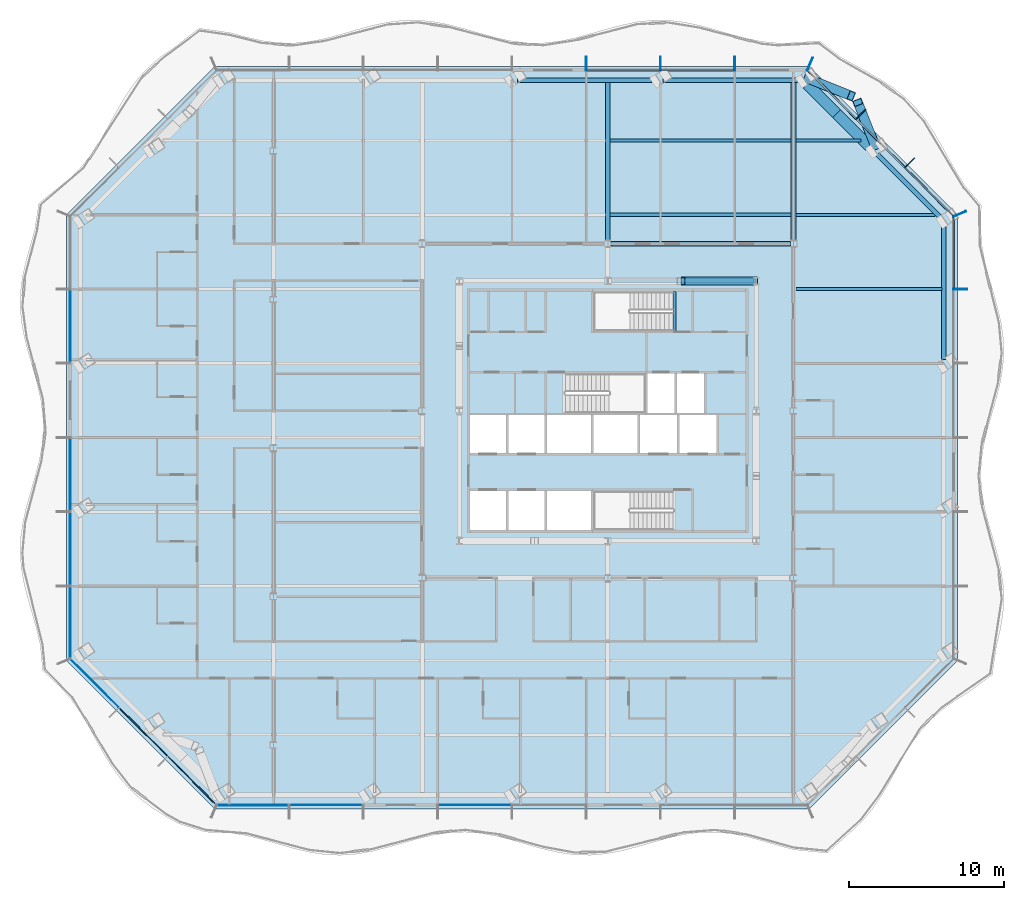
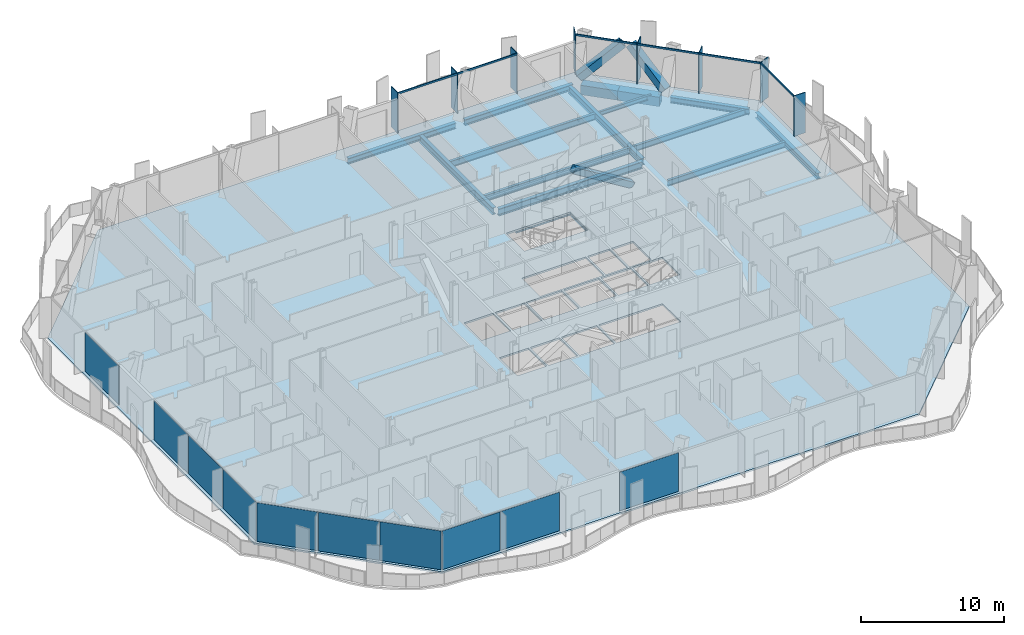
# One storey, part 4 of 17: 17 members, 16 beams, 10 plates, 1 slab, 6 elements without a shape of their own.
"""IFC4 building model written with IfcOpenShell, lengths in metres."""

from ifc_helpers import new_model, si_unit, direction, frame, origin, origin_2d, place, context, subcontext, project, spatial, polyline, rectangle, hollow_rectangle, i_section, outline, extrude, material, layer, layer_set, material_profile, profile_set, type_object, element, aggregate, save


model = new_model("IFC4")

# Units and contexts
model_context = context("Model", 3, precision=1e-05, world=origin(), true_north=direction((0.0, 1.0)))
body_context = subcontext(model_context, "Body", "Model", "MODEL_VIEW")
ifc_project = project(units=[si_unit("LENGTHUNIT", "METRE"), si_unit("AREAUNIT", "SQUARE_METRE"), si_unit("VOLUMEUNIT", "CUBIC_METRE"), si_unit("PLANEANGLEUNIT", "RADIAN"), si_unit("MASSUNIT", "GRAM", prefix="KILO")], contexts=[model_context])

# Site, building, storey
site_placement = place(None, origin())
site = spatial("IfcSite", under=ifc_project, at=site_placement, CompositionType="ELEMENT")
building_placement = place(site_placement, origin())
building = spatial("IfcBuilding", under=site, at=building_placement, Name="Cairn Pilgrim Tower", CompositionType="ELEMENT")
storey_placement = place(building_placement, frame((0.0, 0.0, 94.199951171875)))
storey = spatial("IfcBuildingStorey", under=building, at=storey_placement, Name="L22", CompositionType="ELEMENT", Elevation=94.199951171875)

# Members
ifc_material_1 = material(Name="Structural steel S460M", Category="steel")
ifc_material_profile_1 = material_profile(ifc_material_1, hollow_rectangle(XDim=0.5, YDim=0.5, WallThickness=0.030029296875, at=origin_2d()), Name="BOX 500x500x30")
ifc_profile_set_1 = profile_set([ifc_material_profile_1], Name="Structural steel S460M")
member_type_1 = type_object("IfcMemberType", Name="BOX 500x500x30 BRACE", PredefinedType="BRACE", material=ifc_profile_set_1)
member_1_placement = place(storey_placement, frame((16.75634765625, 10.800048828125, 0.10009765625), z_axis=(-0.851002408489, 0.0, 0.525161785305), x_axis=(0.0, -1.0, 0.0)))
element("IfcMember", 1, at=member_1_placement, inside=storey, type_object=member_type_1, Name="KB-3A", PredefinedType="BRACE", context=body_context, shape_type="SweptSolid", body=[
    extrude(hollow_rectangle(XDim=0.5, YDim=0.5, WallThickness=0.030029296875, at=origin_2d()), origin(), (0.0, 0.0, 1.0), 5.526611328125),
])
ifc_material_profile_2 = material_profile(ifc_material_1, hollow_rectangle(XDim=0.60009765625, YDim=0.60009765625, WallThickness=0.034912109375, at=origin_2d()), Name="BOX 600x600x35")
ifc_profile_set_2 = profile_set([ifc_material_profile_2], Name="Structural steel S460M")
member_type_2 = type_object("IfcMemberType", Name="BOX 600x600x35 BRACE", PredefinedType="BRACE", material=ifc_profile_set_2)
member_2_placement = place(storey_placement, frame((24.502685546875, 19.479736328125, 0.150146484375), z_axis=(-0.284041519805, 0.710468110996, 0.643859828134), x_axis=(-0.928542350144, -0.37122648611, 0.0)))
element("IfcMember", 2, at=member_2_placement, inside=storey, type_object=member_type_2, Name="XB-NE2-N1-1", PredefinedType="BRACE", context=body_context, shape_type="SweptSolid", body=[
    extrude(hollow_rectangle(XDim=0.60009765625, YDim=0.60009765625, WallThickness=0.034912109375, at=origin_2d()), origin(), (0.0, 0.0, 1.0), 4.020751953125),
])
member_3_placement = place(storey_placement, frame((20.07958984375, 23.903076171875, 0.150146484375), z_axis=(0.710455856845, -0.284097338192, 0.643848722843), x_axis=(0.371294902945, 0.928514994519, 0.0)))
element("IfcMember", 3, at=member_3_placement, inside=storey, type_object=member_type_2, Name="XB-NE2-N1-2", PredefinedType="BRACE", context=body_context, shape_type="SweptSolid", body=[
    extrude(hollow_rectangle(XDim=0.60009765625, YDim=0.60009765625, WallThickness=0.034912109375, at=origin_2d()), origin(), (0.0, 0.0, 1.0), 4.02099609375),
])

# Beams
ifc_material_2 = material(Name="Structural steel S355J2", Category="steel")
ifc_material_profile_3 = material_profile(ifc_material_2, hollow_rectangle(XDim=0.699951171875, YDim=0.800048828125, WallThickness=0.0400390625, at=origin_2d()), Name="BOX 700x800x40")
ifc_profile_set_3 = profile_set([ifc_material_profile_3], Name="Structural steel S355J2")
beam_type_1 = type_object("IfcBeamType", Name="BOX 700x800x40 RING GIRDER", PredefinedType="SPANDREL", material=ifc_profile_set_3)
beam_1_placement = place(storey_placement, frame((24.117431640625, 19.490478515625, -0.550048828125), z_axis=(-0.707147336765, 0.707066223282, 0.0), x_axis=(-0.707066223282, -0.707147336765, 0.0)))
element("IfcBeam", 4, at=beam_1_placement, inside=storey, type_object=beam_type_1, Name="RG1-NE2-N1-1", PredefinedType="SPANDREL", context=body_context, shape_type="SweptSolid", body=[
    extrude(hollow_rectangle(XDim=0.699951171875, YDim=0.800048828125, WallThickness=0.0400390625, at=origin_2d()), origin(), (0.0, 0.0, 1.0), 3.009765625),
])
beam_2_placement = place(storey_placement, frame((21.989013671875, 21.61865234375, -0.550048828125), z_axis=(-0.707106781187, 0.707106781187, 0.0), x_axis=(-0.707106781187, -0.707106781187, 0.0)))
element("IfcBeam", 5, at=beam_2_placement, inside=storey, type_object=beam_type_1, Name="RG1-NE2-N1-2", PredefinedType="SPANDREL", context=body_context, shape_type="SweptSolid", body=[
    extrude(hollow_rectangle(XDim=0.699951171875, YDim=0.800048828125, WallThickness=0.0400390625, at=origin_2d()), origin(), (0.0, 0.0, 1.0), 2.685546875),
])

# Curtain wall, member
ifc_material_3 = material(Name="Aluminium alloy 6063-T6 bronze anodised with Bronze tinted laminated low-E glass 8+16+8.8", Category="aluminium")
curtain_wall_type_1 = type_object("IfcCurtainWallType", Name="TOWER STICK CURTAIN WALL EW", PredefinedType="NOTDEFINED", material=ifc_material_3)
curtain_wall_1_placement = place(storey_placement, origin())
curtain_wall_1 = element("IfcCurtainWall", 6, at=curtain_wall_1_placement, inside=storey, type_object=curtain_wall_type_1, Name="Tower Stick Curtain Wall Ew E", PredefinedType="NOTDEFINED")
ifc_material_4 = material(Name="Aluminium alloy 6063-T6 bronze anodised", Category="aluminium")
ifc_material_profile_4 = material_profile(ifc_material_4, rectangle(XDim=0.89990234375, YDim=0.06005859375, at=origin_2d()), Name="FIN MULLION 60x900 BRONZE")
ifc_profile_set_4 = profile_set([ifc_material_profile_4], Name="Aluminium alloy 6063-T6 bronze anodised")
member_type_3 = type_object("IfcMemberType", Name="FIN MULLION 60x900 BRONZE", PredefinedType="MULLION", material=ifc_profile_set_4)
member_4_placement = place(storey_placement, frame((29.978271484375, 10.272216796875, 0.0), z_axis=(0.0, 0.0, 1.0), x_axis=(1.0, 0.0, 0.0)))
member_4 = element("IfcMember", 7, at=member_4_placement, type_object=member_type_3, Name="Fin mullion E6", PredefinedType="MULLION", context=body_context, shape_type="SweptSolid", body=[
    extrude(rectangle(XDim=0.89990234375, YDim=0.06005859375, at=origin_2d()), origin(), (0.0, 0.0, 1.0), 3.449951171875),
])

# Curtain wall, members
curtain_wall_type_2 = type_object("IfcCurtainWallType", Name="CHAMFER CORNER CURTAIN WALL", PredefinedType="NOTDEFINED", material=ifc_material_3)
curtain_wall_2_placement = place(storey_placement, origin())
curtain_wall_2 = element("IfcCurtainWall", 8, at=curtain_wall_2_placement, inside=storey, type_object=curtain_wall_type_2, Name="Chamfer Corner Curtain Wall NE", PredefinedType="NOTDEFINED")
member_5_placement = place(storey_placement, frame((29.946533203125, 15.12939453125, 0.0), z_axis=(0.0, 0.0, 1.0), x_axis=(0.923879532511, 0.382683432365, 0.0)))
member_5 = element("IfcMember", 9, at=member_5_placement, type_object=member_type_3, Name="Fin mullion NE1", PredefinedType="MULLION", context=body_context, shape_type="SweptSolid", body=[
    extrude(rectangle(XDim=0.89990234375, YDim=0.06005859375, at=origin_2d()), origin(), (0.0, 0.0, 1.0), 3.449951171875),
])
member_6_placement = place(storey_placement, frame((26.7041015625, 18.4169921875, 0.0), z_axis=(0.0, 0.0, 1.0), x_axis=(0.707106781187, 0.707106781187, 0.0)))
member_6 = element("IfcMember", 10, at=member_6_placement, type_object=member_type_3, Name="Fin mullion NE2", PredefinedType="MULLION", context=body_context, shape_type="SweptSolid", body=[
    extrude(rectangle(XDim=0.89990234375, YDim=0.06005859375, at=origin_2d()), origin(), (0.0, 0.0, 1.0), 3.449951171875),
])
member_7_placement = place(storey_placement, frame((23.552978515625, 21.568115234375, 0.0), z_axis=(0.0, 0.0, 1.0), x_axis=(0.707106781187, 0.707106781187, 0.0)))
member_7 = element("IfcMember", 11, at=member_7_placement, type_object=member_type_3, Name="Fin mullion NE3", PredefinedType="MULLION", context=body_context, shape_type="SweptSolid", body=[
    extrude(rectangle(XDim=0.89990234375, YDim=0.06005859375, at=origin_2d()), origin(), (0.0, 0.0, 1.0), 3.449951171875),
])

curtain_wall_type_3 = type_object("IfcCurtainWallType", Name="TOWER STICK CURTAIN WALL NS", PredefinedType="NOTDEFINED", material=ifc_material_3)
curtain_wall_3_placement = place(storey_placement, origin())
curtain_wall_3 = element("IfcCurtainWall", 12, at=curtain_wall_3_placement, inside=storey, type_object=curtain_wall_type_3, Name="Tower Stick Curtain Wall Ns N", PredefinedType="NOTDEFINED")
member_8_placement = place(storey_placement, frame((20.265625, 24.810302734375, 0.0), z_axis=(0.0, 0.0, 1.0), x_axis=(0.382683432365, 0.923879532511, 0.0)))
member_8 = element("IfcMember", 13, at=member_8_placement, type_object=member_type_3, Name="Fin mullion N1", PredefinedType="MULLION", context=body_context, shape_type="SweptSolid", body=[
    extrude(rectangle(XDim=0.89990234375, YDim=0.06005859375, at=origin_2d()), origin(), (0.0, 0.0, 1.0), 3.449951171875),
])
member_9_placement = place(storey_placement, frame((15.408447265625, 24.84228515625, 0.0), z_axis=(0.0, 0.0, 1.0), x_axis=(0.0, 1.0, 0.0)))
member_9 = element("IfcMember", 14, at=member_9_placement, type_object=member_type_3, Name="Fin mullion N2", PredefinedType="MULLION", context=body_context, shape_type="SweptSolid", body=[
    extrude(rectangle(XDim=0.89990234375, YDim=0.06005859375, at=origin_2d()), origin(), (0.0, 0.0, 1.0), 3.449951171875),
])
member_10_placement = place(storey_placement, frame((10.6083984375, 24.84228515625, 0.0), z_axis=(0.0, 0.0, 1.0), x_axis=(0.0, 1.0, 0.0)))
member_10 = element("IfcMember", 15, at=member_10_placement, type_object=member_type_3, Name="Fin mullion N3", PredefinedType="MULLION", context=body_context, shape_type="SweptSolid", body=[
    extrude(rectangle(XDim=0.89990234375, YDim=0.06005859375, at=origin_2d()), origin(), (0.0, 0.0, 1.0), 3.449951171875),
])
member_11_placement = place(storey_placement, frame((5.808349609375, 24.84228515625, 0.0), z_axis=(0.0, 0.0, 1.0), x_axis=(0.0, 1.0, 0.0)))
member_11 = element("IfcMember", 16, at=member_11_placement, type_object=member_type_3, Name="Fin mullion N4", PredefinedType="MULLION", context=body_context, shape_type="SweptSolid", body=[
    extrude(rectangle(XDim=0.89990234375, YDim=0.06005859375, at=origin_2d()), origin(), (0.0, 0.0, 1.0), 3.449951171875),
])

# Beams
ifc_material_profile_5 = material_profile(ifc_material_2, i_section(OverallWidth=0.300048828125, OverallDepth=0.5, WebThickness=0.014404296875, FlangeThickness=0.028076171875, FilletRadius=0.027099609375, at=origin_2d()), Name="HEB 500")
ifc_profile_set_5 = profile_set([ifc_material_profile_5], Name="Structural steel S355J2")
beam_type_2 = type_object("IfcBeamType", Name="HEB 500 RING GIRDER", PredefinedType="SPANDREL", material=ifc_profile_set_5)
beam_3_placement = place(storey_placement, frame((28.908447265625, 5.7080078125, -0.39990234375), z_axis=(0.0, 1.0, 0.0), x_axis=(-1.0, 0.0, 0.0)))
element("IfcBeam", 17, at=beam_3_placement, inside=storey, type_object=beam_type_2, Name="RG1-E3-NE1", PredefinedType="SPANDREL", context=body_context, shape_type="SweptSolid", body=[
    extrude(i_section(OverallWidth=0.300048828125, OverallDepth=0.5, WebThickness=0.014404296875, FlangeThickness=0.028076171875, FilletRadius=0.027099609375, at=origin_2d()), origin(), (0.0, 0.0, 1.0), 8.631591796875),
])
beam_4_placement = place(storey_placement, frame((28.65380859375, 14.9541015625, -0.39990234375), z_axis=(-0.707128214185, 0.707085347538, 0.0), x_axis=(-0.707085347538, -0.707128214185, 0.0)))
element("IfcBeam", 18, at=beam_4_placement, inside=storey, type_object=beam_type_2, Name="RG1-NE1-NE2", PredefinedType="SPANDREL", context=body_context, shape_type="SweptSolid", body=[
    extrude(i_section(OverallWidth=0.300048828125, OverallDepth=0.5, WebThickness=0.014404296875, FlangeThickness=0.028076171875, FilletRadius=0.027099609375, at=origin_2d()), origin(), (0.0, 0.0, 1.0), 5.6953125),
])
for number, where, z_axis, x_axis, name in (
    (19, (19.4755859375, 23.772216796875, -0.39990234375), (-1.0, 0.0, 0.0), (0.0, -1.0, 0.0), "RG1-N1-N2"),
    (20, (10.06201171875, 23.772216796875, -0.39990234375), (-1.0, 0.0, 0.0), (0.0, -1.0, 0.0), "RG1-N2-N3"),
):
    element("IfcBeam", number, at=place(storey_placement, frame(where, z_axis=z_axis, x_axis=x_axis)), inside=storey, type_object=beam_type_2, Name=name, PredefinedType="SPANDREL", context=body_context, shape_type="SweptSolid", body=[
        extrude(i_section(OverallWidth=0.300048828125, OverallDepth=0.5, WebThickness=0.014404296875, FlangeThickness=0.028076171875, FilletRadius=0.027099609375, at=origin_2d()), origin(), (0.0, 0.0, 1.0), 8.693603515625),
    ])
ifc_material_profile_6 = material_profile(ifc_material_2, i_section(OverallWidth=0.300048828125, OverallDepth=0.60009765625, WebThickness=0.015380859375, FlangeThickness=0.030029296875, FilletRadius=0.027099609375, at=origin_2d()), Name="HEB 600")
ifc_profile_set_6 = profile_set([ifc_material_profile_6], Name="Structural steel S355J2")
beam_type_3 = type_object("IfcBeamType", Name="HEB 600 CORE BEAM", PredefinedType="BEAM", material=ifc_profile_set_6)
beam_5_placement = place(storey_placement, frame((16.603271484375, 10.800048828125, -0.449951171875), z_axis=(-1.0, 0.0, 0.0), x_axis=(0.0, -1.0, 0.0)))
element("IfcBeam", 21, at=beam_5_placement, inside=storey, type_object=beam_type_3, Name="CB-5", PredefinedType="BEAM", context=body_context, shape_type="SweptSolid", body=[
    extrude(i_section(OverallWidth=0.300048828125, OverallDepth=0.60009765625, WebThickness=0.015380859375, FlangeThickness=0.030029296875, FilletRadius=0.027099609375, at=origin_2d()), origin(), (0.0, 0.0, 1.0), 9.20654296875),
])
ifc_material_profile_7 = material_profile(ifc_material_2, i_section(OverallWidth=0.300048828125, OverallDepth=0.60009765625, WebThickness=0.015380859375, FlangeThickness=0.030029296875, FilletRadius=0.027099609375, at=origin_2d()), Name="HEB 600")
ifc_profile_set_7 = profile_set([ifc_material_profile_7], Name="Structural steel S355J2")
beam_type_4 = type_object("IfcBeamType", Name="HEB 600 GIRDER", PredefinedType="BEAM", material=ifc_profile_set_7)
for number, where, z_axis, x_axis, name in (
    (22, (7.199951171875, 13.404541015625, -0.449951171875), (0.0, 1.0, 0.0), (-1.0, 0.0, 0.0), "PG3-2"),
    (23, (19.199951171875, 13.404541015625, -0.449951171875), (0.0, 1.0, 0.0), (-1.0, 0.0, 0.0), "PG4-4"),
):
    element("IfcBeam", number, at=place(storey_placement, frame(where, z_axis=z_axis, x_axis=x_axis)), inside=storey, type_object=beam_type_4, Name=name, PredefinedType="BEAM", context=body_context, shape_type="SweptSolid", body=[
        extrude(i_section(OverallWidth=0.300048828125, OverallDepth=0.60009765625, WebThickness=0.015380859375, FlangeThickness=0.030029296875, FilletRadius=0.027099609375, at=origin_2d()), origin(), (0.0, 0.0, 1.0), 10.247802734375),
    ])
ifc_material_profile_8 = material_profile(ifc_material_2, i_section(OverallWidth=0.300048828125, OverallDepth=0.60009765625, WebThickness=0.015380859375, FlangeThickness=0.030029296875, FilletRadius=0.027099609375, at=origin_2d()), Name="HEB 600")
ifc_profile_set_8 = profile_set([ifc_material_profile_8], Name="Structural steel S355J2")
beam_type_5 = type_object("IfcBeamType", Name="HEB 600 INNER GIRDER", PredefinedType="BEAM", material=ifc_profile_set_8)
beam_6_placement = place(storey_placement, frame((7.404541015625, 13.199951171875, -0.449951171875), z_axis=(1.0, 0.0, 0.0), x_axis=(0.0, 1.0, 0.0)))
element("IfcBeam", 24, at=beam_6_placement, inside=storey, type_object=beam_type_5, Name="IG2-2", PredefinedType="BEAM", context=body_context, shape_type="SweptSolid", body=[
    extrude(i_section(OverallWidth=0.300048828125, OverallDepth=0.60009765625, WebThickness=0.015380859375, FlangeThickness=0.030029296875, FilletRadius=0.027099609375, at=origin_2d()), origin(), (0.0, 0.0, 1.0), 11.591064453125),
])
ifc_material_profile_9 = material_profile(ifc_material_2, i_section(OverallWidth=0.169921875, OverallDepth=0.360107421875, WebThickness=0.008056640625, FlangeThickness=0.0126953125, FilletRadius=0.01806640625, at=origin_2d()), Name="IPE 360")
ifc_profile_set_9 = profile_set([ifc_material_profile_9], Name="Structural steel S355J2")
beam_type_6 = type_object("IfcBeamType", Name="IPE 360 SECONDARY BEAM", PredefinedType="JOIST", material=ifc_profile_set_9)
beam_7_placement = place(storey_placement, frame((19.35009765625, 19.872314453125, -0.329833984375), z_axis=(1.0, 0.0, 0.0), x_axis=(0.0, 1.0, 0.0)))
element("IfcBeam", 25, at=beam_7_placement, inside=storey, type_object=beam_type_6, Name="SB9-5", PredefinedType="JOIST", context=body_context, shape_type="SweptSolid", body=[
    extrude(i_section(OverallWidth=0.169921875, OverallDepth=0.360107421875, WebThickness=0.008056640625, FlangeThickness=0.0126953125, FilletRadius=0.01806640625, at=origin_2d()), origin(), (0.0, 0.0, 1.0), 4.203369140625),
])
ifc_material_profile_10 = material_profile(ifc_material_2, i_section(OverallWidth=0.199951171875, OverallDepth=0.5, WebThickness=0.01025390625, FlangeThickness=0.01611328125, FilletRadius=0.02099609375, at=origin_2d()), Name="IPE 500")
ifc_profile_set_10 = profile_set([ifc_material_profile_10], Name="Structural steel S355J2")
beam_type_7 = type_object("IfcBeamType", Name="IPE 500 SECONDARY BEAM", PredefinedType="JOIST", material=ifc_profile_set_10)
beam_8_placement = place(storey_placement, frame((19.35009765625, 10.272216796875, -0.39990234375), z_axis=(1.0, 0.0, 0.0), x_axis=(0.0, 1.0, 0.0)))
element("IfcBeam", 26, at=beam_8_placement, inside=storey, type_object=beam_type_7, Name="SB7-3", PredefinedType="JOIST", context=body_context, shape_type="SweptSolid", body=[
    extrude(i_section(OverallWidth=0.199951171875, OverallDepth=0.5, WebThickness=0.01025390625, FlangeThickness=0.01611328125, FilletRadius=0.02099609375, at=origin_2d()), origin(), (0.0, 0.0, 1.0), 9.438232421875),
])
beam_9_placement = place(storey_placement, frame((19.35009765625, 15.072265625, -0.39990234375), z_axis=(1.0, 0.0, 0.0), x_axis=(0.0, 1.0, 0.0)))
element("IfcBeam", 27, at=beam_9_placement, inside=storey, type_object=beam_type_7, Name="SB8-5", PredefinedType="JOIST", context=body_context, shape_type="SweptSolid", body=[
    extrude(i_section(OverallWidth=0.199951171875, OverallDepth=0.5, WebThickness=0.01025390625, FlangeThickness=0.01611328125, FilletRadius=0.02099609375, at=origin_2d()), origin(), (0.0, 0.0, 1.0), 9.00341796875),
])
ifc_material_profile_11 = material_profile(ifc_material_2, i_section(OverallWidth=0.2099609375, OverallDepth=0.550048828125, WebThickness=0.010986328125, FlangeThickness=0.01708984375, FilletRadius=0.02392578125, at=origin_2d()), Name="IPE 550")
ifc_profile_set_11 = profile_set([ifc_material_profile_11], Name="Structural steel S355J2")
beam_type_8 = type_object("IfcBeamType", Name="IPE 550 SECONDARY BEAM", PredefinedType="JOIST", material=ifc_profile_set_11)
for number, where, z_axis, x_axis, name in (
    (28, (7.35009765625, 15.072265625, -0.425048828125), (1.0, 0.0, 0.0), (0.0, 1.0, 0.0), "SB8-4"),
    (29, (7.35009765625, 19.872314453125, -0.425048828125), (1.0, 0.0, 0.0), (0.0, 1.0, 0.0), "SB9-4"),
):
    element("IfcBeam", number, at=place(storey_placement, frame(where, z_axis=z_axis, x_axis=x_axis)), inside=storey, type_object=beam_type_8, Name=name, PredefinedType="JOIST", context=body_context, shape_type="SweptSolid", body=[
        extrude(i_section(OverallWidth=0.2099609375, OverallDepth=0.550048828125, WebThickness=0.010986328125, FlangeThickness=0.01708984375, FilletRadius=0.02392578125, at=origin_2d()), origin(), (0.0, 0.0, 1.0), 11.699951171875),
    ])
ifc_material_profile_12 = material_profile(ifc_material_2, i_section(OverallWidth=0.199951171875, OverallDepth=0.199951171875, WebThickness=0.009033203125, FlangeThickness=0.014892578125, FilletRadius=0.01806640625, at=origin_2d()), Name="HE 200 B")
ifc_profile_set_12 = profile_set([ifc_material_profile_12], Name="Structural steel S355J2")
beam_type_9 = type_object("IfcBeamType", Name="STAIR LANDING BEAM HE 200 B", PredefinedType="BEAM", material=ifc_profile_set_12)
beam_10_placement = place(storey_placement, frame((11.5244140625, 10.10009765625, -0.25), z_axis=(0.0, -1.0, 0.0), x_axis=(1.0, 0.0, 0.0)))
element("IfcBeam", 30, at=beam_10_placement, inside=storey, type_object=beam_type_9, Name="STAIR LANDING BEAM LD-HE200B", PredefinedType="BEAM", context=body_context, shape_type="SweptSolid", body=[
    extrude(i_section(OverallWidth=0.199951171875, OverallDepth=0.199951171875, WebThickness=0.009033203125, FlangeThickness=0.014892578125, FilletRadius=0.01806640625, at=origin_2d()), origin(), (0.0, 0.0, 1.0), 2.525146484375),
])

# Member
ifc_material_profile_13 = material_profile(ifc_material_4, rectangle(XDim=0.080078125, YDim=0.14990234375, at=origin_2d()), Name="TRANSOM 80x150 BRONZE")
ifc_profile_set_13 = profile_set([ifc_material_profile_13], Name="Aluminium alloy 6063-T6 bronze anodised")
member_type_4 = type_object("IfcMemberType", Name="TRANSOM 80x150 BRONZE", PredefinedType="USERDEFINED", material=ifc_profile_set_13)
member_12_placement = place(storey_placement, frame((29.558349609375, 10.30224609375, 3.375), z_axis=(0.0, 1.0, 0.0), x_axis=(-1.0, 0.0, 0.0)))
member_12 = element("IfcMember", 31, at=member_12_placement, type_object=member_type_4, Name="Transom E6", ObjectType="TRANSOM", PredefinedType="USERDEFINED", context=body_context, shape_type="SweptSolid", body=[
    extrude(rectangle(XDim=0.080078125, YDim=0.14990234375, at=origin_2d()), origin(), (0.0, 0.0, 1.0), 4.62646484375),
])

aggregate(curtain_wall_1, [member_4, member_12])

member_13_placement = place(storey_placement, frame((29.530029296875, 14.9970703125, 3.375), z_axis=(-0.707106781187, 0.707106781187, 0.0), x_axis=(-0.707106781187, -0.707106781187, 0.0)))
member_13 = element("IfcMember", 32, at=member_13_placement, type_object=member_type_4, Name="Transom NE1", ObjectType="TRANSOM", PredefinedType="USERDEFINED", context=body_context, shape_type="SweptSolid", body=[
    extrude(rectangle(XDim=0.080078125, YDim=0.14990234375, at=origin_2d()), origin(), (0.0, 0.0, 1.0), 4.38623046875),
])

member_14_placement = place(storey_placement, frame((26.385986328125, 18.14111328125, 3.375), z_axis=(-0.707106781187, 0.707106781187, 0.0), x_axis=(-0.707106781187, -0.707106781187, 0.0)))
member_14 = element("IfcMember", 33, at=member_14_placement, type_object=member_type_4, Name="Transom NE2", ObjectType="TRANSOM", PredefinedType="USERDEFINED", context=body_context, shape_type="SweptSolid", body=[
    extrude(rectangle(XDim=0.080078125, YDim=0.14990234375, at=origin_2d()), origin(), (0.0, 0.0, 1.0), 4.396240234375),
])

member_15_placement = place(storey_placement, frame((23.23486328125, 21.292236328125, 3.375), z_axis=(-0.707106781187, 0.707106781187, 0.0), x_axis=(-0.707106781187, -0.707106781187, 0.0)))
member_15 = element("IfcMember", 34, at=member_15_placement, type_object=member_type_4, Name="Transom NE3", ObjectType="TRANSOM", PredefinedType="USERDEFINED", context=body_context, shape_type="SweptSolid", body=[
    extrude(rectangle(XDim=0.080078125, YDim=0.14990234375, at=origin_2d()), origin(), (0.0, 0.0, 1.0), 4.38671875),
])

aggregate(curtain_wall_2, [member_5, member_6, member_7, member_13, member_14, member_15])

member_16_placement = place(storey_placement, frame((15.37841796875, 24.42236328125, 3.375), z_axis=(-1.0, 0.0, 0.0), x_axis=(0.0, -1.0, 0.0)))
member_16 = element("IfcMember", 35, at=member_16_placement, type_object=member_type_4, Name="Transom N2", ObjectType="TRANSOM", PredefinedType="USERDEFINED", context=body_context, shape_type="SweptSolid", body=[
    extrude(rectangle(XDim=0.080078125, YDim=0.14990234375, at=origin_2d()), origin(), (0.0, 0.0, 1.0), 4.739990234375),
])

member_17_placement = place(storey_placement, frame((10.578369140625, 24.42236328125, 3.375), z_axis=(-1.0, 0.0, 0.0), x_axis=(0.0, -1.0, 0.0)))
member_17 = element("IfcMember", 36, at=member_17_placement, type_object=member_type_4, Name="Transom N3", ObjectType="TRANSOM", PredefinedType="USERDEFINED", context=body_context, shape_type="SweptSolid", body=[
    extrude(rectangle(XDim=0.080078125, YDim=0.14990234375, at=origin_2d()), origin(), (0.0, 0.0, 1.0), 4.739990234375),
])

aggregate(curtain_wall_3, [member_8, member_9, member_10, member_11, member_16, member_17])

# Slab
ifc_material_5 = material(Name="Concrete C35/45", Category="concrete")
ifc_layer_1 = layer(ifc_material_5, 0.14990234375)
ifc_layer_set_1 = layer_set([ifc_layer_1], Name="COMPOSITE FLOOR SLAB 150")
slab_type = type_object("IfcSlabType", Name="COMPOSITE FLOOR SLAB 150", PredefinedType="FLOOR", material=ifc_layer_set_1)
slab_placement = place(storey_placement, frame((0.0, 0.0, -0.14990234375)))
element("IfcSlab", 37, at=slab_placement, inside=storey, type_object=slab_type, Name="FLOOR SLAB L22", PredefinedType="FLOOR", context=body_context, shape_type="SweptSolid", body=[
    extrude(outline(polyline([(-18.191650390625, -23.32763671875), (20.20849609375, -23.32763671875), (29.808349609375, -13.727783203125), (29.808349609375, 15.072265625), (20.20849609375, 24.67236328125), (-18.191650390625, 24.67236328125), (-27.79150390625, 15.072265625), (-27.79150390625, -13.727783203125), (-18.191650390625, -23.32763671875)]), holes=[polyline([(-1.72509765625, -5.300048828125), (0.625, -5.300048828125), (0.625, -2.77490234375), (-1.72509765625, -2.77490234375), (-1.72509765625, -5.300048828125)]), polyline([(0.77490234375, -5.300048828125), (3.125, -5.300048828125), (3.125, -2.77490234375), (0.77490234375, -2.77490234375), (0.77490234375, -5.300048828125)]), polyline([(-1.72509765625, -0.324951171875), (0.625, -0.324951171875), (0.625, 2.125), (-1.72509765625, 2.125), (-1.72509765625, -0.324951171875)]), polyline([(0.77490234375, -0.324951171875), (3.125, -0.324951171875), (3.125, 2.125), (0.77490234375, 2.125), (0.77490234375, -0.324951171875)]), polyline([(3.27490234375, -5.300048828125), (6.125, -5.300048828125), (6.125, -2.77490234375), (3.27490234375, -2.77490234375), (3.27490234375, -5.300048828125)]), polyline([(3.27490234375, -0.324951171875), (6.125, -0.324951171875), (6.125, 2.125), (3.27490234375, 2.125), (3.27490234375, -0.324951171875)]), polyline([(6.27490234375, -0.324951171875), (9.125, -0.324951171875), (9.125, 2.125), (6.27490234375, 2.125), (6.27490234375, -0.324951171875)]), polyline([(9.27490234375, -0.324951171875), (11.675048828125, -0.324951171875), (11.675048828125, 2.125), (9.27490234375, 2.125), (9.27490234375, -0.324951171875)]), polyline([(11.824951171875, -0.324951171875), (14.22509765625, -0.324951171875), (14.22509765625, 2.125), (11.824951171875, 2.125), (11.824951171875, -0.324951171875)]), polyline([(9.77490234375, 2.27490234375), (11.52490234375, 2.27490234375), (11.52490234375, 4.824951171875), (9.77490234375, 4.824951171875), (9.77490234375, 2.27490234375)]), polyline([(11.675048828125, 2.27490234375), (13.425048828125, 2.27490234375), (13.425048828125, 4.824951171875), (11.675048828125, 4.824951171875), (11.675048828125, 2.27490234375)]), polyline([(11.424560546875, -2.77490234375), (6.27490234375, -2.77490234375), (6.27490234375, -5.300048828125), (11.424560546875, -5.300048828125), (11.424560546875, -2.77490234375)]), polyline([(4.4755859375, 2.27490234375), (9.625, 2.27490234375), (9.625, 4.824951171875), (4.4755859375, 4.824951171875), (4.4755859375, 2.27490234375)]), polyline([(11.424560546875, 10.10009765625), (6.27490234375, 10.10009765625), (6.27490234375, 7.574951171875), (11.424560546875, 7.574951171875), (11.424560546875, 10.10009765625)])]), origin(), (0.0, 0.0, 1.0), 0.14990234375),
])

# Curtain wall, plates
curtain_wall_4_placement = place(storey_placement, origin())
curtain_wall_4 = element("IfcCurtainWall", 38, at=curtain_wall_4_placement, inside=storey, type_object=curtain_wall_type_2, Name="Chamfer Corner Curtain Wall SW", PredefinedType="NOTDEFINED")
ifc_material_6 = material(Name="Bronze anodised aluminium spandrel panel with mineral wool insulation", Category="aluminium")
ifc_layer_2 = layer(ifc_material_6, 0.06005859375)
ifc_layer_set_2 = layer_set([ifc_layer_2], Name="SPANDREL PANEL 4386x3300")
plate_type_1 = type_object("IfcPlateType", Name="SPANDREL PANEL 4386x3300", PredefinedType="CURTAIN_PANEL", material=ifc_layer_set_2)
plate_1_placement = place(storey_placement, frame((-19.667236328125, -21.49853515625, 0.0), z_axis=(0.0, 0.0, 1.0), x_axis=(0.707106781187, -0.707106781187, 0.0)))
plate_1 = element("IfcPlate", 39, at=plate_1_placement, type_object=plate_type_1, Name="Spandrel Panel SW3-1", PredefinedType="CURTAIN_PANEL", context=body_context, shape_type="SweptSolid", body=[
    extrude(rectangle(XDim=4.386474609375, YDim=0.06005859375, at=origin_2d()), origin(), (0.0, 0.0, 1.0), 3.300048828125),
])
ifc_layer_3 = layer(ifc_material_6, 0.06005859375)
ifc_layer_set_3 = layer_set([ifc_layer_3], Name="SPANDREL PANEL 4396x3300")
plate_type_2 = type_object("IfcPlateType", Name="SPANDREL PANEL 4396x3300", PredefinedType="CURTAIN_PANEL", material=ifc_layer_set_3)
plate_2_placement = place(storey_placement, frame((-22.81494140625, -18.35107421875, 0.0), z_axis=(0.0, 0.0, 1.0), x_axis=(0.707106781187, -0.707106781187, 0.0)))
plate_2 = element("IfcPlate", 40, at=plate_2_placement, type_object=plate_type_2, Name="Spandrel Panel SW2-1", PredefinedType="CURTAIN_PANEL", context=body_context, shape_type="SweptSolid", body=[
    extrude(rectangle(XDim=4.396484375, YDim=0.06005859375, at=origin_2d()), origin(), (0.0, 0.0, 1.0), 3.300048828125),
])

# Curtain wall, plate
curtain_wall_5_placement = place(storey_placement, origin())
curtain_wall_5 = element("IfcCurtainWall", 41, at=curtain_wall_5_placement, inside=storey, type_object=curtain_wall_type_3, Name="Tower Stick Curtain Wall Ns S", PredefinedType="NOTDEFINED")
ifc_layer_4 = layer(ifc_material_6, 0.06005859375)
ifc_layer_set_4 = layer_set([ifc_layer_4], Name="SPANDREL PANEL 4626x3300")
plate_type_3 = type_object("IfcPlateType", Name="SPANDREL PANEL 4626x3300", PredefinedType="CURTAIN_PANEL", material=ifc_layer_set_4)
plate_3_placement = place(storey_placement, frame((-15.73486328125, -23.07763671875, 0.0), z_axis=(0.0, 0.0, 1.0), x_axis=(1.0, 0.0, 0.0)))
plate_3 = element("IfcPlate", 42, at=plate_3_placement, type_object=plate_type_3, Name="Spandrel Panel S1-1", PredefinedType="CURTAIN_PANEL", context=body_context, shape_type="SweptSolid", body=[
    extrude(rectangle(XDim=4.62646484375, YDim=0.06005859375, at=origin_2d()), origin(), (0.0, 0.0, 1.0), 3.300048828125),
])

# Plate
ifc_material_7 = material(Name="Bronze tinted laminated low-E glass 8+16+8.8", Category="glass")
ifc_layer_5 = layer(ifc_material_7, 0.033935546875)
ifc_layer_set_5 = layer_set([ifc_layer_5], Name="VISION GLAZING 4386x3300")
plate_type_4 = type_object("IfcPlateType", Name="VISION GLAZING 4386x3300", PredefinedType="CURTAIN_PANEL", material=ifc_layer_set_5)
plate_4_placement = place(storey_placement, frame((-25.96240234375, -15.203369140625, 0.0), z_axis=(0.0, 0.0, 1.0), x_axis=(0.707106781187, -0.707106781187, 0.0)))
plate_4 = element("IfcPlate", 43, at=plate_4_placement, type_object=plate_type_4, Name="Vision Glazing SW1-1", PredefinedType="CURTAIN_PANEL", context=body_context, shape_type="SweptSolid", body=[
    extrude(rectangle(XDim=4.386474609375, YDim=0.033935546875, at=origin_2d()), origin(), (0.0, 0.0, 1.0), 3.300048828125),
])

aggregate(curtain_wall_4, [plate_4, plate_2, plate_1])

# Curtain wall, plate
curtain_wall_6_placement = place(storey_placement, origin())
curtain_wall_6 = element("IfcCurtainWall", 44, at=curtain_wall_6_placement, inside=storey, type_object=curtain_wall_type_1, Name="Tower Stick Curtain Wall Ew W", PredefinedType="NOTDEFINED")
ifc_layer_6 = layer(ifc_material_7, 0.033935546875)
ifc_layer_set_6 = layer_set([ifc_layer_6], Name="VISION GLAZING 4626x3300")
plate_type_5 = type_object("IfcPlateType", Name="VISION GLAZING 4626x3300", PredefinedType="CURTAIN_PANEL", material=ifc_layer_set_6)
plate_5_placement = place(storey_placement, frame((-27.54150390625, -11.27099609375, 0.0), z_axis=(0.0, 0.0, 1.0), x_axis=(0.0, -1.0, 0.0)))
plate_5 = element("IfcPlate", 45, at=plate_5_placement, type_object=plate_type_5, Name="Vision Glazing W6-1", PredefinedType="CURTAIN_PANEL", context=body_context, shape_type="SweptSolid", body=[
    extrude(rectangle(XDim=4.62646484375, YDim=0.033935546875, at=origin_2d()), origin(), (0.0, 0.0, 1.0), 3.300048828125),
])

# Plate
ifc_layer_7 = layer(ifc_material_7, 0.033935546875)
ifc_layer_set_7 = layer_set([ifc_layer_7], Name="VISION GLAZING 4740x3300")
plate_type_6 = type_object("IfcPlateType", Name="VISION GLAZING 4740x3300", PredefinedType="CURTAIN_PANEL", material=ifc_layer_set_7)
plate_6_placement = place(storey_placement, frame((-10.99169921875, -23.07763671875, 0.0), z_axis=(0.0, 0.0, 1.0), x_axis=(1.0, 0.0, 0.0)))
plate_6 = element("IfcPlate", 46, at=plate_6_placement, type_object=plate_type_6, Name="Vision Glazing S2-1", PredefinedType="CURTAIN_PANEL", context=body_context, shape_type="SweptSolid", body=[
    extrude(rectangle(XDim=4.739990234375, YDim=0.033935546875, at=origin_2d()), origin(), (0.0, 0.0, 1.0), 3.300048828125),
])

plate_7_placement = place(storey_placement, frame((-1.3916015625, -23.07763671875, 0.0), z_axis=(0.0, 0.0, 1.0), x_axis=(1.0, 0.0, 0.0)))
plate_7 = element("IfcPlate", 47, at=plate_7_placement, type_object=plate_type_6, Name="Vision Glazing S4-1", PredefinedType="CURTAIN_PANEL", context=body_context, shape_type="SweptSolid", body=[
    extrude(rectangle(XDim=4.739990234375, YDim=0.033935546875, at=origin_2d()), origin(), (0.0, 0.0, 1.0), 3.300048828125),
])

aggregate(curtain_wall_5, [plate_3, plate_6, plate_7])

plate_8_placement = place(storey_placement, frame((-27.54150390625, 7.872314453125, 0.0), z_axis=(0.0, 0.0, 1.0), x_axis=(0.0, -1.0, 0.0)))
plate_8 = element("IfcPlate", 48, at=plate_8_placement, type_object=plate_type_6, Name="Vision Glazing W2-1", PredefinedType="CURTAIN_PANEL", context=body_context, shape_type="SweptSolid", body=[
    extrude(rectangle(XDim=4.739990234375, YDim=0.033935546875, at=origin_2d()), origin(), (0.0, 0.0, 1.0), 3.300048828125),
])

plate_9_placement = place(storey_placement, frame((-27.54150390625, -1.727783203125, 0.0), z_axis=(0.0, 0.0, 1.0), x_axis=(0.0, -1.0, 0.0)))
plate_9 = element("IfcPlate", 49, at=plate_9_placement, type_object=plate_type_6, Name="Vision Glazing W4-1", PredefinedType="CURTAIN_PANEL", context=body_context, shape_type="SweptSolid", body=[
    extrude(rectangle(XDim=4.739990234375, YDim=0.033935546875, at=origin_2d()), origin(), (0.0, 0.0, 1.0), 3.300048828125),
])

plate_10_placement = place(storey_placement, frame((-27.54150390625, -6.52783203125, 0.0), z_axis=(0.0, 0.0, 1.0), x_axis=(0.0, -1.0, 0.0)))
plate_10 = element("IfcPlate", 50, at=plate_10_placement, type_object=plate_type_6, Name="Vision Glazing W5-1", PredefinedType="CURTAIN_PANEL", context=body_context, shape_type="SweptSolid", body=[
    extrude(rectangle(XDim=4.739990234375, YDim=0.033935546875, at=origin_2d()), origin(), (0.0, 0.0, 1.0), 3.300048828125),
])

aggregate(curtain_wall_6, [plate_8, plate_9, plate_10, plate_5])

save(model, "model.ifc")
